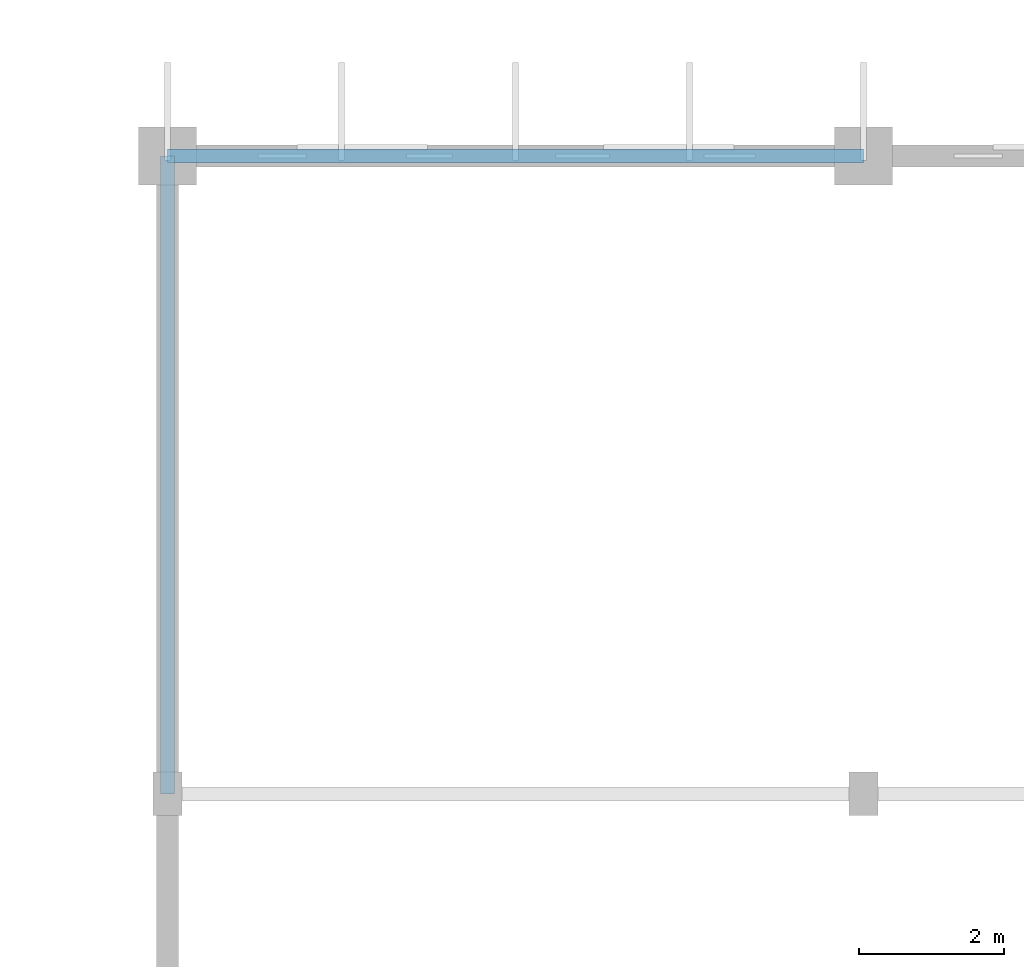
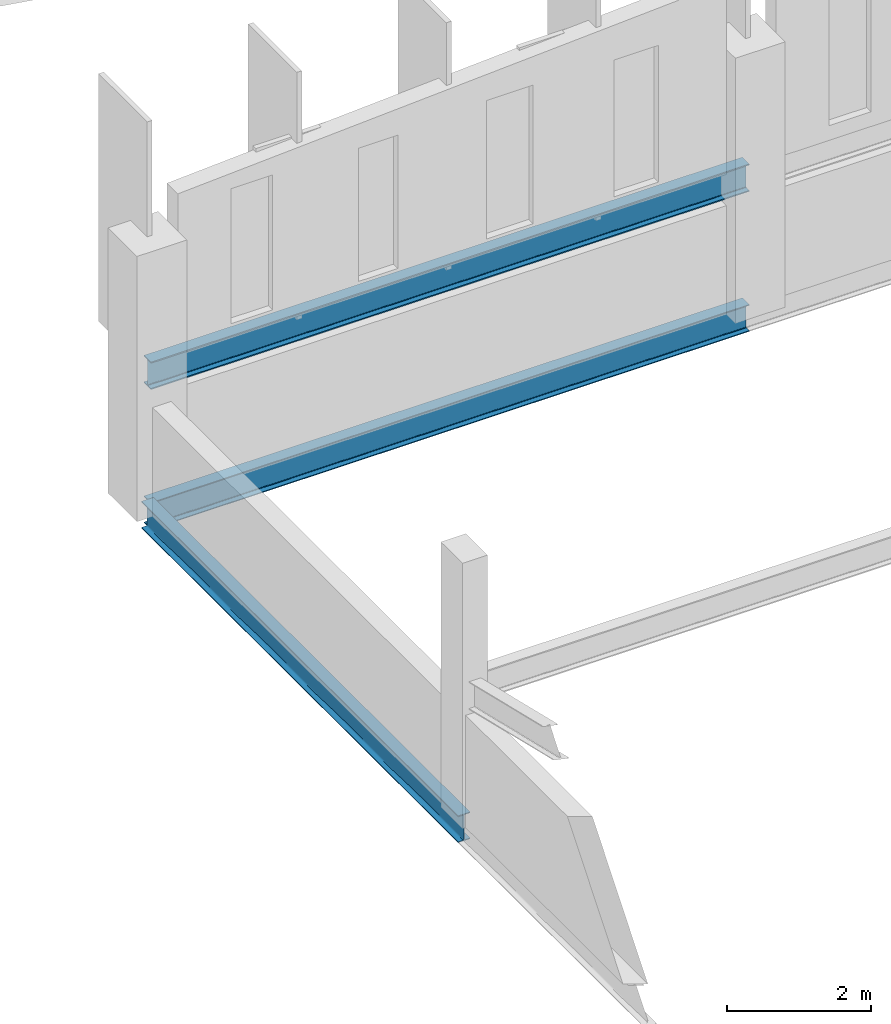
# One storey, part 39 of 114: 3 beams.
"""IFC4 building model written with IfcOpenShell, lengths in metres."""

from ifc_helpers import new_model, si_unit, direction, frame, origin, origin_2d, place, context, subcontext, project, spatial, i_section, extrude, material, material_profile, profile_set, type_object, element, save


model = new_model("IFC4")

# Units and contexts
model_context = context("Model", 3, precision=1e-05, world=origin(), true_north=direction((0.0, 1.0)))
body_context = subcontext(model_context, "Body", "Model", "MODEL_VIEW")
ifc_project = project(units=[si_unit("LENGTHUNIT", "METRE"), si_unit("AREAUNIT", "SQUARE_METRE"), si_unit("VOLUMEUNIT", "CUBIC_METRE"), si_unit("PLANEANGLEUNIT", "RADIAN"), si_unit("MASSUNIT", "GRAM", prefix="KILO")], contexts=[model_context])

# Site, building, storey
site_placement = place(None, origin())
site = spatial("IfcSite", under=ifc_project, at=site_placement, CompositionType="ELEMENT")
building_placement = place(site_placement, origin())
building = spatial("IfcBuilding", under=site, at=building_placement, Name="Chalmorin Arch Market", CompositionType="ELEMENT")
storey_placement = place(building_placement, frame((0.0, 0.0, 9.60009765625)))
storey = spatial("IfcBuildingStorey", under=building, at=storey_placement, Name="L02", CompositionType="ELEMENT", Elevation=9.60009765625)

# Beams
ifc_material = material(Name="Steel A992 Grade 50", Category="steel")
ifc_material_profile_1 = material_profile(ifc_material, i_section(OverallWidth=0.193115234375, OverallDepth=0.466064453125, WebThickness=0.011474609375, FlangeThickness=0.01904296875, FilletRadius=0.02001953125, at=origin_2d()), Name="W18X65")
ifc_profile_set_1 = profile_set([ifc_material_profile_1], Name="Steel A992 Grade 50")
beam_type_1 = type_object("IfcBeamType", Name="FloorSteelBeam-W18X65", PredefinedType="BEAM", material=ifc_profile_set_1)
beam_1_placement = place(storey_placement, frame((48.0, 58.800048828125, 2.14990234375), z_axis=(1.0, 0.0, 0.0), x_axis=(0.0, 1.0, 0.0)))
element("IfcBeam", 1, at=beam_1_placement, inside=storey, type_object=beam_type_1, Name="BM-W18A-1767", PredefinedType="BEAM", context=body_context, shape_type="SweptSolid", body=[
    extrude(i_section(OverallWidth=0.193115234375, OverallDepth=0.466064453125, WebThickness=0.011474609375, FlangeThickness=0.01904296875, FilletRadius=0.02001953125, at=origin_2d()), origin(), (0.0, 0.0, 1.0), 9.60009765625),
])
ifc_material_profile_2 = material_profile(ifc_material, i_section(OverallWidth=0.19091796875, OverallDepth=0.45703125, WebThickness=0.009033203125, FlangeThickness=0.014404296875, FilletRadius=0.02001953125, at=origin_2d()), Name="W18X50")
ifc_profile_set_2 = profile_set([ifc_material_profile_2], Name="Steel A992 Grade 50")
beam_type_2 = type_object("IfcBeamType", Name="PerimeterSpandrelBeam-W18X50", PredefinedType="SPANDREL", material=ifc_profile_set_2)
beam_2_placement = place(storey_placement, frame((48.0, 58.800048828125, -0.22998046875), z_axis=(1.0, 0.0, 0.0), x_axis=(0.0, 1.0, 0.0)))
element("IfcBeam", 2, at=beam_2_placement, inside=storey, type_object=beam_type_2, Name="SP-W18-1365", PredefinedType="SPANDREL", context=body_context, shape_type="SweptSolid", body=[
    extrude(i_section(OverallWidth=0.19091796875, OverallDepth=0.45703125, WebThickness=0.009033203125, FlangeThickness=0.014404296875, FilletRadius=0.02001953125, at=origin_2d()), origin(), (0.0, 0.0, 1.0), 9.60009765625),
])
beam_3_placement = place(storey_placement, frame((48.0, 50.0, -0.22998046875), z_axis=(0.0, 1.0, 0.0), x_axis=(-1.0, 0.0, 0.0)))
element("IfcBeam", 3, at=beam_3_placement, inside=storey, type_object=beam_type_2, Name="SP-W18-1371", PredefinedType="SPANDREL", context=body_context, shape_type="SweptSolid", body=[
    extrude(i_section(OverallWidth=0.19091796875, OverallDepth=0.45703125, WebThickness=0.009033203125, FlangeThickness=0.014404296875, FilletRadius=0.02001953125, at=origin_2d()), origin(), (0.0, 0.0, 1.0), 8.800048828125),
])

save(model, "model.ifc")
